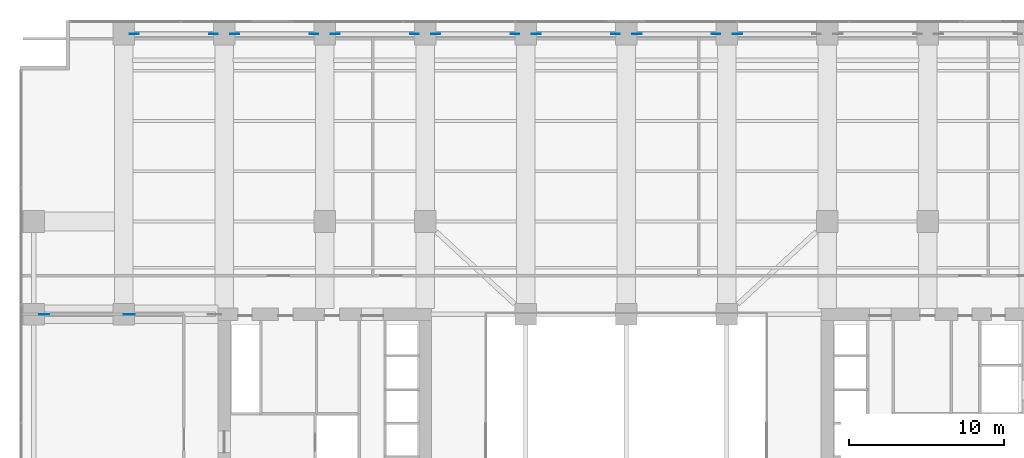
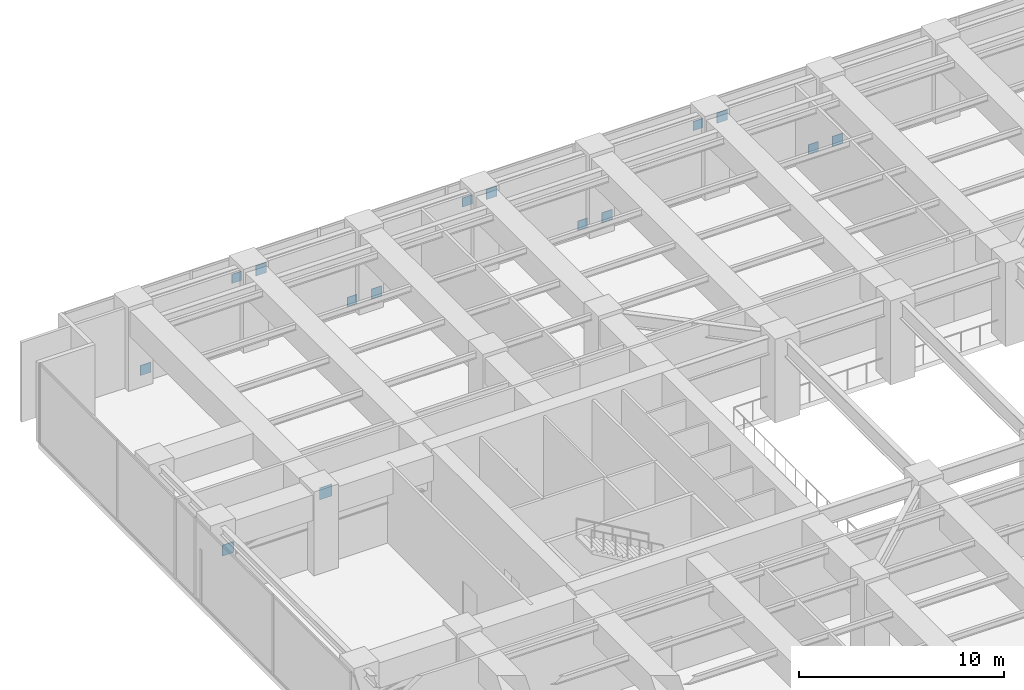
# One storey, part 21 of 31: 15 plates.
"""IFC4 building model written with IfcOpenShell, lengths in metres."""

import ifcopenshell
import ifcopenshell.guid

model = None  # the IFC model being written
_history = None  # IfcOwnerHistory: only IFC2X3 demands one
_inside = {}  # id of a spatial element -> (the spatial element, [elements in it])
_under = {}  # id of a project, library or spatial element -> (it, [spatial elements below it])
_declared = {}  # id of a project -> (the project, [libraries it declares])
_typed = {}  # id of a type object -> (the type object, [elements of that type])
_made_of = {}  # id of a material, layer set ... -> (it, [elements and type objects made of it])


def new_model(schema):
    """Start an empty IFC model of exactly this schema.

    Asked for "IFC4X3", IfcOpenShell would pick the latest addendum, in which some entities
    have other attributes; the version numbers below select the first issue.
    IFC2X3 requires an IfcOwnerHistory on every rooted entity: one is made here for all.
    """
    global model, _history
    if schema == "IFC4X3":
        model = ifcopenshell.file(schema_version=(4, 3, 0, 0))
    else:
        model = ifcopenshell.file(schema=schema)
    _inside.clear()
    _under.clear()
    _declared.clear()
    _typed.clear()
    _made_of.clear()
    _history = None
    if model.schema == "IFC2X3":
        org = make("IfcOrganization", Name="unknown")
        user = make(
            "IfcPersonAndOrganization",
            ThePerson=make("IfcPerson", FamilyName="unknown"),
            TheOrganization=org,
        )
        app = make(
            "IfcApplication",
            ApplicationDeveloper=org,
            Version="unknown",
            ApplicationFullName="unknown",
            ApplicationIdentifier="unknown",
        )
        _history = make(
            "IfcOwnerHistory",
            OwningUser=user,
            OwningApplication=app,
            ChangeAction="ADDED",
            CreationDate=0,
        )
    return model


def make(cls, **values):
    """One entity of the class cls with the attributes given. An attribute that is None is left unset."""
    return model.create_entity(
        cls, **{name: value for name, value in values.items() if value is not None}
    )


def rooted(cls, **values):
    """An entity with a GlobalId (a new one), such as an element, a storey or a relation."""
    return make(cls, GlobalId=ifcopenshell.guid.new(), OwnerHistory=_history, **values)


def si_unit(unit_type, name, prefix=None):
    """IfcSIUnit, for example si_unit("LENGTHUNIT", "METRE", prefix="MILLI")."""
    return make("IfcSIUnit", UnitType=unit_type, Prefix=prefix, Name=name)


def assignment(units):
    """IfcUnitAssignment: the units of a project."""
    return None if units is None else make("IfcUnitAssignment", Units=units)


def point(xyz):
    """IfcCartesianPoint."""
    return None if xyz is None else make("IfcCartesianPoint", Coordinates=xyz)


def direction(xyz):
    """IfcDirection."""
    return None if xyz is None else make("IfcDirection", DirectionRatios=xyz)


def frame(location, z_axis=None, x_axis=None):
    """IfcAxis2Placement3D, a coordinate frame: its origin and axes. An axis left out is left unset."""
    return make(
        "IfcAxis2Placement3D",
        Location=point(location),
        Axis=direction(z_axis),
        RefDirection=direction(x_axis),
    )


def frame_2d(location, x_axis=None):
    """IfcAxis2Placement2D, a coordinate frame in the plane: its origin and x axis."""
    return make(
        "IfcAxis2Placement2D", Location=point(location), RefDirection=direction(x_axis)
    )


def origin():
    """The frame at (0, 0, 0) with its axes left unset."""
    return frame((0.0, 0.0, 0.0))


def origin_2d():
    """The frame at (0, 0) in the plane with its x axis left unset."""
    return frame_2d((0.0, 0.0))


def place(relative_to, where):
    """IfcLocalPlacement: puts the frame where relative to a parent placement (None: the world)."""
    return make(
        "IfcLocalPlacement", PlacementRelTo=relative_to, RelativePlacement=where
    )


def context(
    kind, dimensions, precision=None, world=None, true_north=None, identifier=None
):
    """IfcGeometricRepresentationContext, for example the 3D "Model" context."""
    return make(
        "IfcGeometricRepresentationContext",
        ContextIdentifier=identifier,
        ContextType=kind,
        CoordinateSpaceDimension=dimensions,
        Precision=precision,
        WorldCoordinateSystem=world,
        TrueNorth=true_north,
    )


def subcontext(parent, identifier, kind, view, scale=None):
    """IfcGeometricRepresentationSubContext, for example "Body" below "Model"."""
    return make(
        "IfcGeometricRepresentationSubContext",
        ContextIdentifier=identifier,
        ContextType=kind,
        ParentContext=parent,
        TargetScale=scale,
        TargetView=view,
    )


def project(units=None, contexts=None):
    """IfcProject with its units and contexts."""
    return rooted(
        "IfcProject",
        Name="project",
        RepresentationContexts=contexts,
        UnitsInContext=assignment(units),
    )


def spatial(cls, under=None, at=None, **own):
    """A site, building, storey or space (cls), placed at a placement, below another one or the project."""
    s = rooted(cls, ObjectPlacement=at, **own)
    if under is not None:
        _under.setdefault(under.id(), (under, []))[1].append(s)
    return s


def profile(cls, at=None, kind="AREA", **sizes):
    """A parametric profile (cls). Its sizes go by their IFC names, for example OverallWidth=200.0."""
    return make(cls, ProfileType=kind, Position=at, **sizes)


def rectangle(**sizes):
    """IfcRectangleProfileDef."""
    return profile("IfcRectangleProfileDef", **sizes)


def extrude(swept, where, along, depth):
    """IfcExtrudedAreaSolid: the profile swept, set in the frame where, extruded along a direction by depth."""
    return make(
        "IfcExtrudedAreaSolid",
        SweptArea=swept,
        Position=where,
        ExtrudedDirection=direction(along),
        Depth=depth,
    )


def shape(context_of_items, identifier, shape_type, items):
    """IfcShapeRepresentation: the items that make up one representation, for example the "Body"."""
    return make(
        "IfcShapeRepresentation",
        ContextOfItems=context_of_items,
        RepresentationIdentifier=identifier,
        RepresentationType=shape_type,
        Items=items,
    )


def material(Name=None, Category=None):
    """IfcMaterial."""
    return make("IfcMaterial", Name=Name, Category=Category)


def layer(
    of_material, thickness, ventilated=None, Name=None, Category=None, Priority=None
):
    """IfcMaterialLayer: one layer of a wall or slab, of a material (None: an air gap)."""
    return make(
        "IfcMaterialLayer",
        Material=of_material,
        LayerThickness=thickness,
        IsVentilated=ventilated,
        Name=Name,
        Category=Category,
        Priority=Priority,
    )


def layer_set(layers, Name=None):
    """IfcMaterialLayerSet."""
    return make("IfcMaterialLayerSet", MaterialLayers=layers, LayerSetName=Name)


def made_of(thing, what):
    """Note that an element or type object is made of a material, layer set ...; save() writes the relation."""
    if what is not None:
        _made_of.setdefault(what.id(), (what, []))[1].append(thing)
    return thing


def type_object(cls, material=None, **own):
    """A type object (cls), such as IfcWallType, which elements share."""
    return made_of(rooted(cls, **own), material)


def element(
    cls,
    number,
    at=None,
    inside=None,
    cuts=None,
    type_object=None,
    material=None,
    context=None,
    identifier="Body",
    shape_type=None,
    held_by="IfcProductDefinitionShape",
    body=None,
    shapes=None,
    **own,
):
    """One element of the class cls, such as IfcWall. Its Tag is "e" and its number.

    at: its placement. inside: the storey or other place that contains it. cuts: it is an
    opening in that element (IfcRelVoidsElement). A single representation is given by context,
    identifier, shape_type and body (its items); several are given by shapes. held_by: the class
    of the entity that holds the representations. save() writes the other relations.
    """
    e = rooted(cls, Tag="e%d" % number, ObjectPlacement=at, **own)
    if body is not None:
        shapes = [shape(context, identifier, shape_type, body)]
    if shapes is not None:
        e.Representation = make(held_by, Representations=shapes)
    if inside is not None:
        _inside.setdefault(inside.id(), (inside, []))[1].append(e)
    if cuts is not None:
        rooted(
            "IfcRelVoidsElement", RelatingBuildingElement=cuts, RelatedOpeningElement=e
        )
    if type_object is not None:
        _typed.setdefault(type_object.id(), (type_object, []))[1].append(e)
    return made_of(e, material)


def aggregate(whole, parts):
    """IfcRelAggregates: a whole, such as a stair, and the parts it consists of."""
    return rooted("IfcRelAggregates", RelatingObject=whole, RelatedObjects=parts)


def save(model, path):
    """Write the relations noted so far, then the file.

    IfcRelAggregates (storeys below a building ...), IfcRelContainedInSpatialStructure (elements
    in a storey), IfcRelDefinesByType, IfcRelAssociatesMaterial and IfcRelDeclares: one each for
    every whole, place, type object, material and project.
    """
    for whole, parts in _under.values():
        aggregate(whole, parts)
    for where, things in _inside.values():
        rooted(
            "IfcRelContainedInSpatialStructure",
            RelatedElements=things,
            RelatingStructure=where,
        )
    for kind, things in _typed.values():
        rooted("IfcRelDefinesByType", RelatedObjects=things, RelatingType=kind)
    for what, things in _made_of.values():
        rooted("IfcRelAssociatesMaterial", RelatedObjects=things, RelatingMaterial=what)
    for by, libraries in _declared.values():
        rooted("IfcRelDeclares", RelatingContext=by, RelatedDefinitions=libraries)
    model.write(path)


model = new_model("IFC4")

# Units and contexts
model_context = context("Model", 3, precision=1e-05, world=origin(), true_north=direction((0.0, 1.0)))
body_context = subcontext(model_context, "Body", "Model", "MODEL_VIEW")
ifc_project = project(units=[si_unit("LENGTHUNIT", "METRE"), si_unit("AREAUNIT", "SQUARE_METRE"), si_unit("VOLUMEUNIT", "CUBIC_METRE"), si_unit("PLANEANGLEUNIT", "RADIAN"), si_unit("MASSUNIT", "GRAM", prefix="KILO")], contexts=[model_context])

# Site, building, storey
site_placement = place(None, origin())
site = spatial("IfcSite", under=ifc_project, at=site_placement, CompositionType="ELEMENT")
building_placement = place(site_placement, origin())
building = spatial("IfcBuilding", under=site, at=building_placement, Name="Putna Gate Headquarters", CompositionType="ELEMENT")
storey_placement = place(building_placement, frame((0.0, 0.0, 81.0)))
storey = spatial("IfcBuildingStorey", under=building, at=storey_placement, Name="L19", CompositionType="ELEMENT", Elevation=81.0)

# Plates
ifc_material = material(Name="Steel S460M", Category="steel")
ifc_layer_1 = layer(ifc_material, 0.035888671875)
ifc_layer_set_1 = layer_set([ifc_layer_1], Name="Steel S460M")
plate_type_1 = type_object("IfcPlateType", Name="PLT-NODE-BN1", PredefinedType="SHEET", material=ifc_layer_set_1)
for number, where, z_axis, x_axis, name in (
    (1, (7.18505859375, 51.1201171875, 0.14990234375), (0.0, 0.0, 1.0), (1.0, 0.0, 0.0), "L19 Belt Truss Node Gusset Plate N1-E1"),
    (2, (13.68505859375, 51.1201171875, 3.81494140625), (0.0, 0.0, 1.0), (1.0, 0.0, 0.0), "L19 Belt Truss Node Gusset Plate N2-E1"),
    (3, (20.18505859375, 51.1201171875, 0.14990234375), (0.0, 0.0, 1.0), (1.0, 0.0, 0.0), "L19 Belt Truss Node Gusset Plate N3-E1"),
    (4, (26.68505859375, 51.1201171875, 3.81494140625), (0.0, 0.0, 1.0), (1.0, 0.0, 0.0), "L19 Belt Truss Node Gusset Plate N4-E1"),
    (5, (33.18505859375, 51.1201171875, 0.14990234375), (0.0, 0.0, 1.0), (1.0, 0.0, 0.0), "L19 Belt Truss Node Gusset Plate N5-E1"),
    (6, (39.68505859375, 51.1201171875, 3.81494140625), (0.0, 0.0, 1.0), (1.0, 0.0, 0.0), "L19 Belt Truss Node Gusset Plate N6-E1"),
    (7, (46.18505859375, 51.1201171875, 0.14990234375), (0.0, 0.0, 1.0), (1.0, 0.0, 0.0), "L19 Belt Truss Node Gusset Plate N7-E1"),
):
    element("IfcPlate", number, at=place(storey_placement, frame(where, z_axis=z_axis, x_axis=x_axis)), inside=storey, type_object=plate_type_1, Name=name, PredefinedType="SHEET", context=body_context, shape_type="SweptSolid", body=[
        extrude(rectangle(XDim=0.60009765625, YDim=0.035888671875, at=origin_2d()), origin(), (0.0, 0.0, 1.0), 0.60009765625),
    ])
ifc_layer_2 = layer(ifc_material, 0.035888671875)
ifc_layer_set_2 = layer_set([ifc_layer_2], Name="Steel S460M")
plate_type_2 = type_object("IfcPlateType", Name="PLT-NODE-BN2", PredefinedType="SHEET", material=ifc_layer_set_2)
for number, where, z_axis, x_axis, name in (
    (8, (12.31494140625, 51.1201171875, 3.83984375), (0.0, 0.0, 1.0), (1.0, 0.0, 0.0), "L19 Belt Truss Node Gusset Plate N1-E2"),
    (9, (18.81494140625, 51.1201171875, 0.1748046875), (0.0, 0.0, 1.0), (1.0, 0.0, 0.0), "L19 Belt Truss Node Gusset Plate N2-E2"),
    (10, (25.31494140625, 51.1201171875, 3.83984375), (0.0, 0.0, 1.0), (1.0, 0.0, 0.0), "L19 Belt Truss Node Gusset Plate N3-E2"),
    (11, (31.81494140625, 51.1201171875, 0.1748046875), (0.0, 0.0, 1.0), (1.0, 0.0, 0.0), "L19 Belt Truss Node Gusset Plate N4-E2"),
    (12, (38.31494140625, 51.1201171875, 3.83984375), (0.0, 0.0, 1.0), (1.0, 0.0, 0.0), "L19 Belt Truss Node Gusset Plate N5-E2"),
    (13, (44.81494140625, 51.1201171875, 0.1748046875), (0.0, 0.0, 1.0), (1.0, 0.0, 0.0), "L19 Belt Truss Node Gusset Plate N6-E2"),
):
    element("IfcPlate", number, at=place(storey_placement, frame(where, z_axis=z_axis, x_axis=x_axis)), inside=storey, type_object=plate_type_2, Name=name, PredefinedType="SHEET", context=body_context, shape_type="SweptSolid", body=[
        extrude(rectangle(XDim=0.550048828125, YDim=0.035888671875, at=origin_2d()), origin(), (0.0, 0.0, 1.0), 0.550048828125),
    ])
ifc_layer_3 = layer(ifc_material, 0.0400390625)
ifc_layer_set_3 = layer_set([ifc_layer_3], Name="Steel S460M")
plate_type_3 = type_object("IfcPlateType", Name="PLT-NODE-ON2", PredefinedType="SHEET", material=ifc_layer_set_3)
plate_1_placement = place(storey_placement, frame((6.87255859375, 33.0, 3.865234375), z_axis=(0.0, 0.0, 1.0), x_axis=(1.0, 0.0, 0.0)))
element("IfcPlate", 14, at=plate_1_placement, inside=storey, type_object=plate_type_3, Name="L19 Outrigger Node Plate ON2 WN", PredefinedType="SHEET", context=body_context, shape_type="SweptSolid", body=[
    extrude(rectangle(XDim=0.699951171875, YDim=0.0400390625, at=origin_2d()), origin(), (0.0, 0.0, 1.0), 0.699951171875),
])
ifc_layer_4 = layer(ifc_material, 0.0400390625)
ifc_layer_set_4 = layer_set([ifc_layer_4], Name="Steel S460M")
plate_type_4 = type_object("IfcPlateType", Name="PLT-NODE-ON3", PredefinedType="SHEET", material=ifc_layer_set_4)
plate_2_placement = place(storey_placement, frame((1.364990234375, 33.0, 2.425048828125), z_axis=(0.0, 0.0, 1.0), x_axis=(1.0, 0.0, 0.0)))
element("IfcPlate", 15, at=plate_2_placement, inside=storey, type_object=plate_type_4, Name="L19 Outrigger Node Plate ON3 WN", PredefinedType="SHEET", context=body_context, shape_type="SweptSolid", body=[
    extrude(rectangle(XDim=0.64990234375, YDim=0.0400390625, at=origin_2d()), origin(), (0.0, 0.0, 1.0), 0.64990234375),
])

save(model, "model.ifc")
